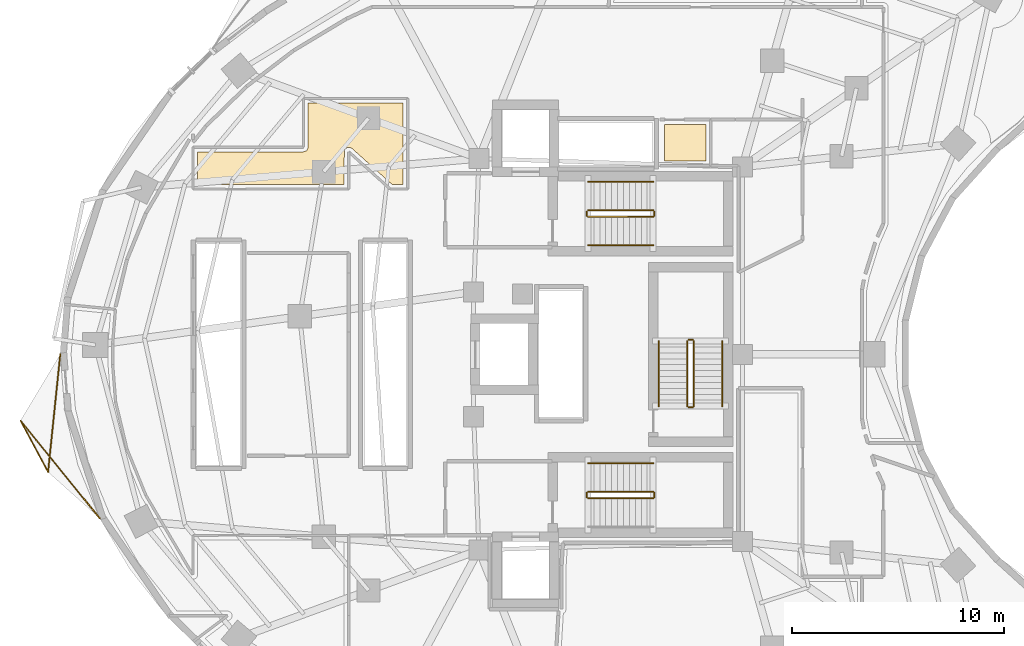
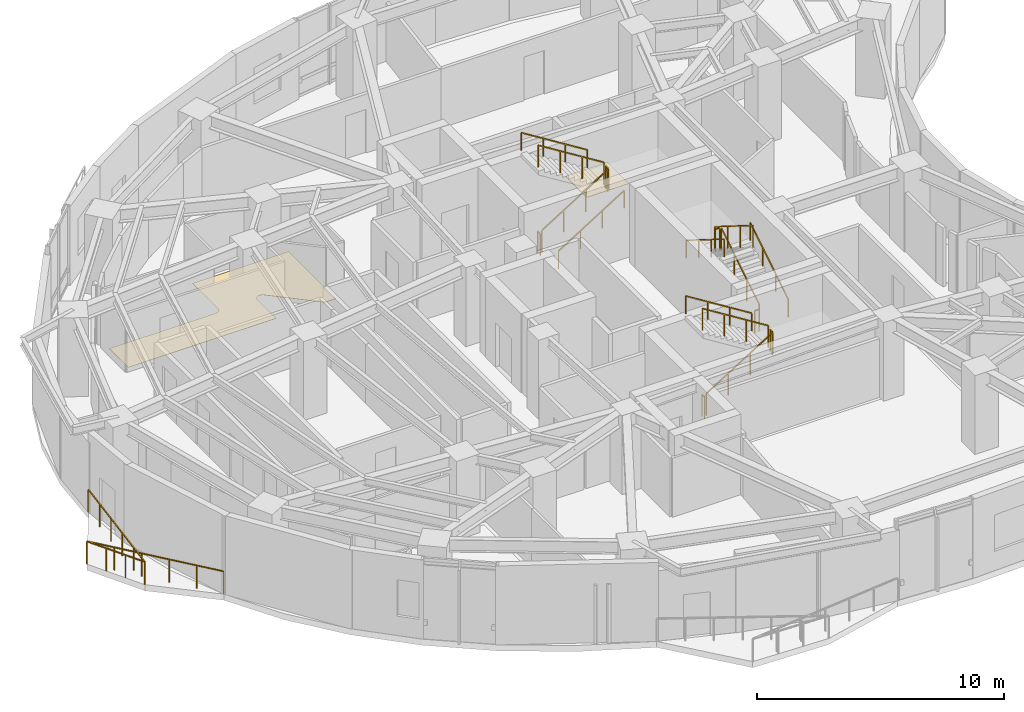
# One storey, part 12 of 13: 18 railings, 2 coverings.
"""IFC4 building model written with IfcOpenShell, lengths in metres."""

from ifc_helpers import new_model, si_unit, direction, frame, origin, origin_2d, place, context, subcontext, project, spatial, polyline, rectangle, outline, extrude, material, layer, layer_set, type_object, element, save


model = new_model("IFC4")

# Units and contexts
model_context = context("Model", 3, precision=1e-05, world=origin(), true_north=direction((0.0, 1.0)))
body_context = subcontext(model_context, "Body", "Model", "MODEL_VIEW")
ifc_project = project(units=[si_unit("LENGTHUNIT", "METRE"), si_unit("AREAUNIT", "SQUARE_METRE"), si_unit("VOLUMEUNIT", "CUBIC_METRE"), si_unit("PLANEANGLEUNIT", "RADIAN"), si_unit("MASSUNIT", "GRAM", prefix="KILO")], contexts=[model_context])

# Site, building, storey
site_placement = place(None, origin())
site = spatial("IfcSite", under=ifc_project, at=site_placement, CompositionType="ELEMENT")
building_placement = place(site_placement, origin())
building = spatial("IfcBuilding", under=site, at=building_placement, Name="Korentha Bioscience Tower", CompositionType="ELEMENT")
storey_placement = place(building_placement, frame((0.0, 0.0, 140.39990234375)))
storey = spatial("IfcBuildingStorey", under=building, at=storey_placement, Name="L32", CompositionType="ELEMENT", Elevation=140.39990234375)

# Covering
ifc_material_1 = material(Name="Vitrified Porcelain Tile", Category="ceramic")
ifc_layer_1 = layer(ifc_material_1, 0.014892578125, Name="Vitrified Porcelain Tile")
ifc_layer_set_1 = layer_set([ifc_layer_1], Name="Vitrified Porcelain Tile (FL-CER)")
covering_type_1 = type_object("IfcCoveringType", Name="Anti-Slip Ceramic Wet-Room Tile Flooring 15", PredefinedType="FLOORING", material=ifc_layer_set_1)
covering_1_placement = place(storey_placement, origin())
element("IfcCovering", 1, at=covering_1_placement, inside=storey, type_object=covering_type_1, Name="L32 Accessible Staff WC Floor Finish", PredefinedType="FLOORING", context=body_context, shape_type="SweptSolid", body=[
    extrude(outline(polyline([(33.8701171875, 36.1298828125), (33.8701171875, 37.8701171875), (35.830078125, 37.8701171875), (35.830078125, 36.1298828125), (33.8701171875, 36.1298828125)])), origin(), (0.0, 0.0, 1.0), 0.01513671875),
])

# Railings
ifc_material_2 = material(Name="Stainless Steel 304", Category="steel")
railing_type_1 = type_object("IfcRailingType", Name="Brushed Stainless Stair Handrail 900", PredefinedType="HANDRAIL", material=ifc_material_2)
railing_1_placement = place(storey_placement, frame((30.25, 32.14990234375, 0.175048828125)))
element("IfcRailing", 2, at=railing_1_placement, inside=storey, type_object=railing_type_1, Name="L32 ST-1 stair handrail 1", PredefinedType="HANDRAIL", context=body_context, shape_type="SweptSolid", body=[
    extrude(rectangle(XDim=0.048095703125, YDim=0.048095703125, at=origin_2d()), frame((0.0, 0.0, 0.8759765625), z_axis=(0.847998304005, 0.0, 0.529998940003), x_axis=(0.0, 1.0, 0.0)), (0.0, 0.0, 1.0), 3.632080078125),
    extrude(rectangle(XDim=0.0419921875, YDim=0.0419921875, at=origin_2d()), origin(), (0.0, 0.0, 1.0), 0.851806640625),
    extrude(rectangle(XDim=0.0419921875, YDim=0.0419921875, at=origin_2d()), frame((1.026611328125, 0.0, 0.6416015625)), (0.0, 0.0, 1.0), 0.851806640625),
    extrude(rectangle(XDim=0.0419921875, YDim=0.0419921875, at=origin_2d()), frame((2.053466796875, 0.0, 1.283447265625)), (0.0, 0.0, 1.0), 0.851806640625),
    extrude(rectangle(XDim=0.0419921875, YDim=0.0419921875, at=origin_2d()), frame((3.080078125, 0.0, 1.925048828125)), (0.0, 0.0, 1.0), 0.851806640625),
])
for number, where, name in (
    (3, (33.330078125, 35.14990234375, 2.275146484375), "L32 ST-1 stair handrail 2"),
    (4, (33.330078125, 21.85009765625, 2.275146484375), "L32 ST-2 stair handrail 2"),
):
    element("IfcRailing", number, at=place(storey_placement, frame(where)), inside=storey, type_object=railing_type_1, Name=name, PredefinedType="HANDRAIL", context=body_context, shape_type="SweptSolid", body=[
        extrude(rectangle(XDim=0.048095703125, YDim=0.048095703125, at=origin_2d()), frame((0.0, 0.0, 0.8759765625), z_axis=(-0.847998304005, 0.0, 0.529998940003), x_axis=(0.0, -1.0, 0.0)), (0.0, 0.0, 1.0), 3.632080078125),
        extrude(rectangle(XDim=0.0419921875, YDim=0.0419921875, at=origin_2d()), origin(), (0.0, 0.0, 1.0), 0.851806640625),
        extrude(rectangle(XDim=0.0419921875, YDim=0.0419921875, at=origin_2d()), frame((-1.026611328125, 0.0, 0.6416015625)), (0.0, 0.0, 1.0), 0.851806640625),
        extrude(rectangle(XDim=0.0419921875, YDim=0.0419921875, at=origin_2d()), frame((-2.053466796875, 0.0, 1.283447265625)), (0.0, 0.0, 1.0), 0.851806640625),
        extrude(rectangle(XDim=0.0419921875, YDim=0.0419921875, at=origin_2d()), frame((-3.080078125, 0.0, 1.925048828125)), (0.0, 0.0, 1.0), 0.851806640625),
    ])
railing_2_placement = place(storey_placement, frame((36.60009765625, 24.550048828125, 0.175048828125)))
element("IfcRailing", 5, at=railing_2_placement, inside=storey, type_object=railing_type_1, Name="L32 ST-3 stair handrail 1", PredefinedType="HANDRAIL", context=body_context, shape_type="SweptSolid", body=[
    extrude(rectangle(XDim=0.048095703125, YDim=0.048095703125, at=origin_2d()), frame((0.0, 0.0, 0.8759765625), z_axis=(0.0, 0.847979421464, 0.530029150871), x_axis=(-1.0, 0.0, 0.0)), (0.0, 0.0, 1.0), 3.632080078125),
    extrude(rectangle(XDim=0.0419921875, YDim=0.0419921875, at=origin_2d()), origin(), (0.0, 0.0, 1.0), 0.851806640625),
    extrude(rectangle(XDim=0.0419921875, YDim=0.0419921875, at=origin_2d()), frame((0.0, 1.026611328125, 0.6416015625)), (0.0, 0.0, 1.0), 0.851806640625),
    extrude(rectangle(XDim=0.0419921875, YDim=0.0419921875, at=origin_2d()), frame((0.0, 2.05322265625, 1.283447265625)), (0.0, 0.0, 1.0), 0.851806640625),
    extrude(rectangle(XDim=0.0419921875, YDim=0.0419921875, at=origin_2d()), frame((0.0, 3.079833984375, 1.925048828125)), (0.0, 0.0, 1.0), 0.851806640625),
])
railing_3_placement = place(storey_placement, frame((33.60009765625, 27.6298828125, 2.275146484375)))
element("IfcRailing", 6, at=railing_3_placement, inside=storey, type_object=railing_type_1, Name="L32 ST-3 stair handrail 2", PredefinedType="HANDRAIL", context=body_context, shape_type="SweptSolid", body=[
    extrude(rectangle(XDim=0.048095703125, YDim=0.048095703125, at=origin_2d()), frame((0.0, 0.0, 0.8759765625), z_axis=(0.0, -0.847979421464, 0.530029150871), x_axis=(1.0, 0.0, 0.0)), (0.0, 0.0, 1.0), 3.632080078125),
    extrude(rectangle(XDim=0.0419921875, YDim=0.0419921875, at=origin_2d()), origin(), (0.0, 0.0, 1.0), 0.851806640625),
    extrude(rectangle(XDim=0.0419921875, YDim=0.0419921875, at=origin_2d()), frame((0.0, -1.026611328125, 0.6416015625)), (0.0, 0.0, 1.0), 0.851806640625),
    extrude(rectangle(XDim=0.0419921875, YDim=0.0419921875, at=origin_2d()), frame((0.0, -2.05322265625, 1.283447265625)), (0.0, 0.0, 1.0), 0.851806640625),
    extrude(rectangle(XDim=0.0419921875, YDim=0.0419921875, at=origin_2d()), frame((0.0, -3.079833984375, 1.925048828125)), (0.0, 0.0, 1.0), 0.851806640625),
])
ifc_material_3 = material(Name="Laminated Tempered Safety Glass", Category="glass")
railing_type_2 = type_object("IfcRailingType", Name="Laminated Glass Balcony Guardrail 1150", PredefinedType="BALUSTRADE", material=ifc_material_3)
railing_4_placement = place(storey_placement, frame((5.31396484375, 27.0, 0.0)))
element("IfcRailing", 7, at=railing_4_placement, inside=storey, type_object=railing_type_2, Name="L32 Balcony Guardrail 02", PredefinedType="BALUSTRADE", context=body_context, shape_type="SweptSolid", body=[
    extrude(rectangle(XDim=0.048095703125, YDim=0.048095703125, at=origin_2d()), frame((0.0, 0.0, 1.1259765625), z_axis=(-0.103140291233, -0.994666818751, 0.0), x_axis=(0.994666818751, -0.103140291233, 0.0)), (0.0, 0.0, 1.0), 5.595703125),
    extrude(rectangle(XDim=0.048095703125, YDim=0.048095703125, at=origin_2d()), frame((-0.5771484375, -5.56591796875, 1.1259765625), z_axis=(-0.472764072862, 0.881189044082, 0.0), x_axis=(-0.881189044082, -0.472764072862, 0.0)), (0.0, 0.0, 1.0), 2.7587890625),
    extrude(rectangle(XDim=0.048095703125, YDim=0.048095703125, at=origin_2d()), frame((-1.88134765625, -3.135009765625, 1.1259765625), z_axis=(0.63030320246, -0.776349066444, 0.0), x_axis=(0.776349066444, 0.63030320246, 0.0)), (0.0, 0.0, 1.0), 5.939453125),
    extrude(rectangle(XDim=0.0419921875, YDim=0.0419921875, at=origin_2d()), origin(), (0.0, 0.0, 1.0), 1.101806640625),
    extrude(rectangle(XDim=0.0419921875, YDim=0.0419921875, at=origin_2d()), frame((-0.115478515625, -1.11328125, 0.0)), (0.0, 0.0, 1.0), 1.101806640625),
    extrude(rectangle(XDim=0.0419921875, YDim=0.0419921875, at=origin_2d()), frame((-0.23095703125, -2.226318359375, 0.0)), (0.0, 0.0, 1.0), 1.101806640625),
    extrude(rectangle(XDim=0.0419921875, YDim=0.0419921875, at=origin_2d()), frame((-0.34619140625, -3.339599609375, 0.0)), (0.0, 0.0, 1.0), 1.101806640625),
    extrude(rectangle(XDim=0.0419921875, YDim=0.0419921875, at=origin_2d()), frame((-0.461669921875, -4.45263671875, 0.0)), (0.0, 0.0, 1.0), 1.101806640625),
    extrude(rectangle(XDim=0.0419921875, YDim=0.0419921875, at=origin_2d()), frame((-0.5771484375, -5.56591796875, 0.0)), (0.0, 0.0, 1.0), 1.101806640625),
    extrude(rectangle(XDim=0.0419921875, YDim=0.0419921875, at=origin_2d()), frame((-1.011962890625, -4.755615234375, 0.0)), (0.0, 0.0, 1.0), 1.101806640625),
    extrude(rectangle(XDim=0.0419921875, YDim=0.0419921875, at=origin_2d()), frame((-1.446533203125, -3.9453125, 0.0)), (0.0, 0.0, 1.0), 1.101806640625),
    extrude(rectangle(XDim=0.0419921875, YDim=0.0419921875, at=origin_2d()), frame((-1.88134765625, -3.135009765625, 0.0)), (0.0, 0.0, 1.0), 1.101806640625),
    extrude(rectangle(XDim=0.0419921875, YDim=0.0419921875, at=origin_2d()), frame((-1.132568359375, -4.05712890625, 0.0)), (0.0, 0.0, 1.0), 1.101806640625),
    extrude(rectangle(XDim=0.0419921875, YDim=0.0419921875, at=origin_2d()), frame((-0.3837890625, -4.9794921875, 0.0)), (0.0, 0.0, 1.0), 1.101806640625),
    extrude(rectangle(XDim=0.0419921875, YDim=0.0419921875, at=origin_2d()), frame((0.36474609375, -5.901611328125, 0.0)), (0.0, 0.0, 1.0), 1.101806640625),
    extrude(rectangle(XDim=0.0419921875, YDim=0.0419921875, at=origin_2d()), frame((1.113525390625, -6.823974609375, 0.0)), (0.0, 0.0, 1.0), 1.101806640625),
    extrude(rectangle(XDim=0.0419921875, YDim=0.0419921875, at=origin_2d()), frame((1.8623046875, -7.74609375, 0.0)), (0.0, 0.0, 1.0), 1.101806640625),
])
ifc_material_4 = material(Name="Painted Steel S275", Category="steel")
railing_type_3 = type_object("IfcRailingType", Name="Painted Steel Stair Well Guardrail 1100", PredefinedType="GUARDRAIL", material=ifc_material_4)
railing_5_placement = place(storey_placement, frame((30.25, 33.5, 0.175048828125)))
element("IfcRailing", 8, at=railing_5_placement, inside=storey, type_object=railing_type_3, Name="L32 ST-1 stair guard 1", PredefinedType="GUARDRAIL", context=body_context, shape_type="SweptSolid", body=[
    extrude(rectangle(XDim=0.048095703125, YDim=0.048095703125, at=origin_2d()), frame((0.0, 0.0, 1.076171875), z_axis=(0.847998304005, 0.0, 0.529998940003), x_axis=(0.0, 1.0, 0.0)), (0.0, 0.0, 1.0), 3.632080078125),
    extrude(rectangle(XDim=0.0419921875, YDim=0.0419921875, at=origin_2d()), origin(), (0.0, 0.0, 1.0), 1.052001953125),
    extrude(rectangle(XDim=0.0419921875, YDim=0.0419921875, at=origin_2d()), frame((1.026611328125, 0.0, 0.6416015625)), (0.0, 0.0, 1.0), 1.052001953125),
    extrude(rectangle(XDim=0.0419921875, YDim=0.0419921875, at=origin_2d()), frame((2.053466796875, 0.0, 1.283447265625)), (0.0, 0.0, 1.0), 1.052001953125),
    extrude(rectangle(XDim=0.0419921875, YDim=0.0419921875, at=origin_2d()), frame((3.080078125, 0.0, 1.925048828125)), (0.0, 0.0, 1.0), 1.052001953125),
])
railing_6_placement = place(storey_placement, frame((33.3798828125, 33.550048828125, 2.10009765625)))
element("IfcRailing", 9, at=railing_6_placement, inside=storey, type_object=railing_type_3, Name="L32 ST-1 stair guard 2", PredefinedType="GUARDRAIL", context=body_context, shape_type="SweptSolid", body=[
    extrude(rectangle(XDim=0.048095703125, YDim=0.048095703125, at=origin_2d()), frame((0.0, 0.0, 1.076171875), z_axis=(0.0, 1.0, 0.0), x_axis=(-1.0, 0.0, 0.0)), (0.0, 0.0, 1.0), 0.199951171875),
    extrude(rectangle(XDim=0.0419921875, YDim=0.0419921875, at=origin_2d()), origin(), (0.0, 0.0, 1.0), 1.052001953125),
    extrude(rectangle(XDim=0.0419921875, YDim=0.0419921875, at=origin_2d()), frame((0.0, 0.199951171875, 0.0)), (0.0, 0.0, 1.0), 1.052001953125),
])
railing_7_placement = place(storey_placement, frame((33.330078125, 33.800048828125, 2.275146484375)))
element("IfcRailing", 10, at=railing_7_placement, inside=storey, type_object=railing_type_3, Name="L32 ST-1 stair guard 3", PredefinedType="GUARDRAIL", context=body_context, shape_type="SweptSolid", body=[
    extrude(rectangle(XDim=0.048095703125, YDim=0.048095703125, at=origin_2d()), frame((0.0, 0.0, 1.076171875), z_axis=(-0.847998304005, 0.0, 0.529998940003), x_axis=(0.0, -1.0, 0.0)), (0.0, 0.0, 1.0), 3.632080078125),
    extrude(rectangle(XDim=0.0419921875, YDim=0.0419921875, at=origin_2d()), origin(), (0.0, 0.0, 1.0), 1.052001953125),
    extrude(rectangle(XDim=0.0419921875, YDim=0.0419921875, at=origin_2d()), frame((-1.026611328125, 0.0, 0.6416015625)), (0.0, 0.0, 1.0), 1.052001953125),
    extrude(rectangle(XDim=0.0419921875, YDim=0.0419921875, at=origin_2d()), frame((-2.053466796875, 0.0, 1.283447265625)), (0.0, 0.0, 1.0), 1.052001953125),
    extrude(rectangle(XDim=0.0419921875, YDim=0.0419921875, at=origin_2d()), frame((-3.080078125, 0.0, 1.925048828125)), (0.0, 0.0, 1.0), 1.052001953125),
])
railing_8_placement = place(storey_placement, frame((30.199951171875, 33.550048828125, 0.0)))
element("IfcRailing", 11, at=railing_8_placement, inside=storey, type_object=railing_type_3, Name="L32 ST-1 stair guard 4", PredefinedType="GUARDRAIL", context=body_context, shape_type="SweptSolid", body=[
    extrude(rectangle(XDim=0.048095703125, YDim=0.048095703125, at=origin_2d()), frame((0.0, 0.0, 1.076171875), z_axis=(0.0, 1.0, 0.0), x_axis=(-1.0, 0.0, 0.0)), (0.0, 0.0, 1.0), 0.199951171875),
    extrude(rectangle(XDim=0.0419921875, YDim=0.0419921875, at=origin_2d()), origin(), (0.0, 0.0, 1.0), 1.052001953125),
    extrude(rectangle(XDim=0.0419921875, YDim=0.0419921875, at=origin_2d()), frame((0.0, 0.199951171875, 0.0)), (0.0, 0.0, 1.0), 1.052001953125),
])
railing_9_placement = place(storey_placement, frame((30.25, 20.199951171875, 0.175048828125)))
element("IfcRailing", 12, at=railing_9_placement, inside=storey, type_object=railing_type_3, Name="L32 ST-2 stair guard 1", PredefinedType="GUARDRAIL", context=body_context, shape_type="SweptSolid", body=[
    extrude(rectangle(XDim=0.048095703125, YDim=0.048095703125, at=origin_2d()), frame((0.0, 0.0, 1.076171875), z_axis=(0.847998304005, 0.0, 0.529998940003), x_axis=(0.0, 1.0, 0.0)), (0.0, 0.0, 1.0), 3.632080078125),
    extrude(rectangle(XDim=0.0419921875, YDim=0.0419921875, at=origin_2d()), origin(), (0.0, 0.0, 1.0), 1.052001953125),
    extrude(rectangle(XDim=0.0419921875, YDim=0.0419921875, at=origin_2d()), frame((1.026611328125, 0.0, 0.6416015625)), (0.0, 0.0, 1.0), 1.052001953125),
    extrude(rectangle(XDim=0.0419921875, YDim=0.0419921875, at=origin_2d()), frame((2.053466796875, 0.0, 1.283447265625)), (0.0, 0.0, 1.0), 1.052001953125),
    extrude(rectangle(XDim=0.0419921875, YDim=0.0419921875, at=origin_2d()), frame((3.080078125, 0.0, 1.925048828125)), (0.0, 0.0, 1.0), 1.052001953125),
])
railing_10_placement = place(storey_placement, frame((33.3798828125, 20.25, 2.10009765625)))
element("IfcRailing", 13, at=railing_10_placement, inside=storey, type_object=railing_type_3, Name="L32 ST-2 stair guard 2", PredefinedType="GUARDRAIL", context=body_context, shape_type="SweptSolid", body=[
    extrude(rectangle(XDim=0.048095703125, YDim=0.048095703125, at=origin_2d()), frame((0.0, 0.0, 1.076171875), z_axis=(0.0, 1.0, 0.0), x_axis=(-1.0, 0.0, 0.0)), (0.0, 0.0, 1.0), 0.199951171875),
    extrude(rectangle(XDim=0.0419921875, YDim=0.0419921875, at=origin_2d()), origin(), (0.0, 0.0, 1.0), 1.052001953125),
    extrude(rectangle(XDim=0.0419921875, YDim=0.0419921875, at=origin_2d()), frame((0.0, 0.199951171875, 0.0)), (0.0, 0.0, 1.0), 1.052001953125),
])
railing_11_placement = place(storey_placement, frame((33.330078125, 20.5, 2.275146484375)))
element("IfcRailing", 14, at=railing_11_placement, inside=storey, type_object=railing_type_3, Name="L32 ST-2 stair guard 3", PredefinedType="GUARDRAIL", context=body_context, shape_type="SweptSolid", body=[
    extrude(rectangle(XDim=0.048095703125, YDim=0.048095703125, at=origin_2d()), frame((0.0, 0.0, 1.076171875), z_axis=(-0.847998304005, 0.0, 0.529998940003), x_axis=(0.0, -1.0, 0.0)), (0.0, 0.0, 1.0), 3.632080078125),
    extrude(rectangle(XDim=0.0419921875, YDim=0.0419921875, at=origin_2d()), origin(), (0.0, 0.0, 1.0), 1.052001953125),
    extrude(rectangle(XDim=0.0419921875, YDim=0.0419921875, at=origin_2d()), frame((-1.026611328125, 0.0, 0.6416015625)), (0.0, 0.0, 1.0), 1.052001953125),
    extrude(rectangle(XDim=0.0419921875, YDim=0.0419921875, at=origin_2d()), frame((-2.053466796875, 0.0, 1.283447265625)), (0.0, 0.0, 1.0), 1.052001953125),
    extrude(rectangle(XDim=0.0419921875, YDim=0.0419921875, at=origin_2d()), frame((-3.080078125, 0.0, 1.925048828125)), (0.0, 0.0, 1.0), 1.052001953125),
])
railing_12_placement = place(storey_placement, frame((30.199951171875, 20.25, 0.0)))
element("IfcRailing", 15, at=railing_12_placement, inside=storey, type_object=railing_type_3, Name="L32 ST-2 stair guard 4", PredefinedType="GUARDRAIL", context=body_context, shape_type="SweptSolid", body=[
    extrude(rectangle(XDim=0.048095703125, YDim=0.048095703125, at=origin_2d()), frame((0.0, 0.0, 1.076171875), z_axis=(0.0, 1.0, 0.0), x_axis=(-1.0, 0.0, 0.0)), (0.0, 0.0, 1.0), 0.199951171875),
    extrude(rectangle(XDim=0.0419921875, YDim=0.0419921875, at=origin_2d()), origin(), (0.0, 0.0, 1.0), 1.052001953125),
    extrude(rectangle(XDim=0.0419921875, YDim=0.0419921875, at=origin_2d()), frame((0.0, 0.199951171875, 0.0)), (0.0, 0.0, 1.0), 1.052001953125),
])
railing_13_placement = place(storey_placement, frame((35.25, 24.550048828125, 0.175048828125)))
element("IfcRailing", 16, at=railing_13_placement, inside=storey, type_object=railing_type_3, Name="L32 ST-3 stair guard 1", PredefinedType="GUARDRAIL", context=body_context, shape_type="SweptSolid", body=[
    extrude(rectangle(XDim=0.048095703125, YDim=0.048095703125, at=origin_2d()), frame((0.0, 0.0, 1.076171875), z_axis=(0.0, 0.847979421464, 0.530029150871), x_axis=(-1.0, 0.0, 0.0)), (0.0, 0.0, 1.0), 3.632080078125),
    extrude(rectangle(XDim=0.0419921875, YDim=0.0419921875, at=origin_2d()), origin(), (0.0, 0.0, 1.0), 1.052001953125),
    extrude(rectangle(XDim=0.0419921875, YDim=0.0419921875, at=origin_2d()), frame((0.0, 1.026611328125, 0.6416015625)), (0.0, 0.0, 1.0), 1.052001953125),
    extrude(rectangle(XDim=0.0419921875, YDim=0.0419921875, at=origin_2d()), frame((0.0, 2.05322265625, 1.283447265625)), (0.0, 0.0, 1.0), 1.052001953125),
    extrude(rectangle(XDim=0.0419921875, YDim=0.0419921875, at=origin_2d()), frame((0.0, 3.079833984375, 1.925048828125)), (0.0, 0.0, 1.0), 1.052001953125),
])
railing_14_placement = place(storey_placement, frame((35.199951171875, 27.679931640625, 2.10009765625)))
element("IfcRailing", 17, at=railing_14_placement, inside=storey, type_object=railing_type_3, Name="L32 ST-3 stair guard 2", PredefinedType="GUARDRAIL", context=body_context, shape_type="SweptSolid", body=[
    extrude(rectangle(XDim=0.048095703125, YDim=0.048095703125, at=origin_2d()), frame((0.0, 0.0, 1.076171875), z_axis=(-1.0, 0.0, 0.0), x_axis=(0.0, -1.0, 0.0)), (0.0, 0.0, 1.0), 0.199951171875),
    extrude(rectangle(XDim=0.0419921875, YDim=0.0419921875, at=origin_2d()), origin(), (0.0, 0.0, 1.0), 1.052001953125),
    extrude(rectangle(XDim=0.0419921875, YDim=0.0419921875, at=origin_2d()), frame((-0.199951171875, 0.0, 0.0)), (0.0, 0.0, 1.0), 1.052001953125),
])
railing_15_placement = place(storey_placement, frame((34.949951171875, 27.6298828125, 2.275146484375)))
element("IfcRailing", 18, at=railing_15_placement, inside=storey, type_object=railing_type_3, Name="L32 ST-3 stair guard 3", PredefinedType="GUARDRAIL", context=body_context, shape_type="SweptSolid", body=[
    extrude(rectangle(XDim=0.048095703125, YDim=0.048095703125, at=origin_2d()), frame((0.0, 0.0, 1.076171875), z_axis=(0.0, -0.847979421464, 0.530029150871), x_axis=(1.0, 0.0, 0.0)), (0.0, 0.0, 1.0), 3.632080078125),
    extrude(rectangle(XDim=0.0419921875, YDim=0.0419921875, at=origin_2d()), origin(), (0.0, 0.0, 1.0), 1.052001953125),
    extrude(rectangle(XDim=0.0419921875, YDim=0.0419921875, at=origin_2d()), frame((0.0, -1.026611328125, 0.6416015625)), (0.0, 0.0, 1.0), 1.052001953125),
    extrude(rectangle(XDim=0.0419921875, YDim=0.0419921875, at=origin_2d()), frame((0.0, -2.05322265625, 1.283447265625)), (0.0, 0.0, 1.0), 1.052001953125),
    extrude(rectangle(XDim=0.0419921875, YDim=0.0419921875, at=origin_2d()), frame((0.0, -3.079833984375, 1.925048828125)), (0.0, 0.0, 1.0), 1.052001953125),
])
railing_16_placement = place(storey_placement, frame((35.199951171875, 24.5, 0.0)))
element("IfcRailing", 19, at=railing_16_placement, inside=storey, type_object=railing_type_3, Name="L32 ST-3 stair guard 4", PredefinedType="GUARDRAIL", context=body_context, shape_type="SweptSolid", body=[
    extrude(rectangle(XDim=0.048095703125, YDim=0.048095703125, at=origin_2d()), frame((0.0, 0.0, 1.076171875), z_axis=(-1.0, 0.0, 0.0), x_axis=(0.0, -1.0, 0.0)), (0.0, 0.0, 1.0), 0.199951171875),
    extrude(rectangle(XDim=0.0419921875, YDim=0.0419921875, at=origin_2d()), origin(), (0.0, 0.0, 1.0), 1.052001953125),
    extrude(rectangle(XDim=0.0419921875, YDim=0.0419921875, at=origin_2d()), frame((-0.199951171875, 0.0, 0.0)), (0.0, 0.0, 1.0), 1.052001953125),
])

# Covering
ifc_material_5 = material(Name="Chemical-Resistant Epoxy Resin", Category="polymer")
ifc_layer_2 = layer(ifc_material_5, 0.011962890625, Name="Chemical-Resistant Epoxy Resin")
ifc_layer_set_2 = layer_set([ifc_layer_2], Name="Chemical-Resistant Epoxy Resin (FL-EPX)")
covering_type_2 = type_object("IfcCoveringType", Name="Seamless Epoxy Laboratory Flooring 12", PredefinedType="FLOORING", material=ifc_layer_set_2)
covering_2_placement = place(storey_placement, origin())
element("IfcCovering", 20, at=covering_2_placement, inside=storey, type_object=covering_type_2, Name="L32 Clinical Trials Data Office 10 Floor Finish", PredefinedType="FLOORING", context=body_context, shape_type="SweptSolid", body=[
    extrude(outline(polyline([(19.09326171875, 36.73193359375), (18.992431640625, 36.7783203125), (18.8818359375, 36.770751953125), (18.788330078125, 36.711181640625), (18.73486328125, 36.61328125), (18.72802734375, 35.030029296875), (11.81005859375, 35.030029296875), (11.81005859375, 36.570068359375), (16.800048828125, 36.570068359375), (16.9365234375, 36.614990234375), (16.99755859375, 36.68212890625), (17.02978515625, 36.789306640625), (17.030029296875, 38.8701171875), (21.52001953125, 38.8701171875), (21.52001953125, 35.030029296875), (20.990478515625, 35.030029296875), (19.09326171875, 36.73193359375)])), origin(), (0.0, 0.0, 1.0), 0.01220703125),
])

save(model, "model.ifc")
